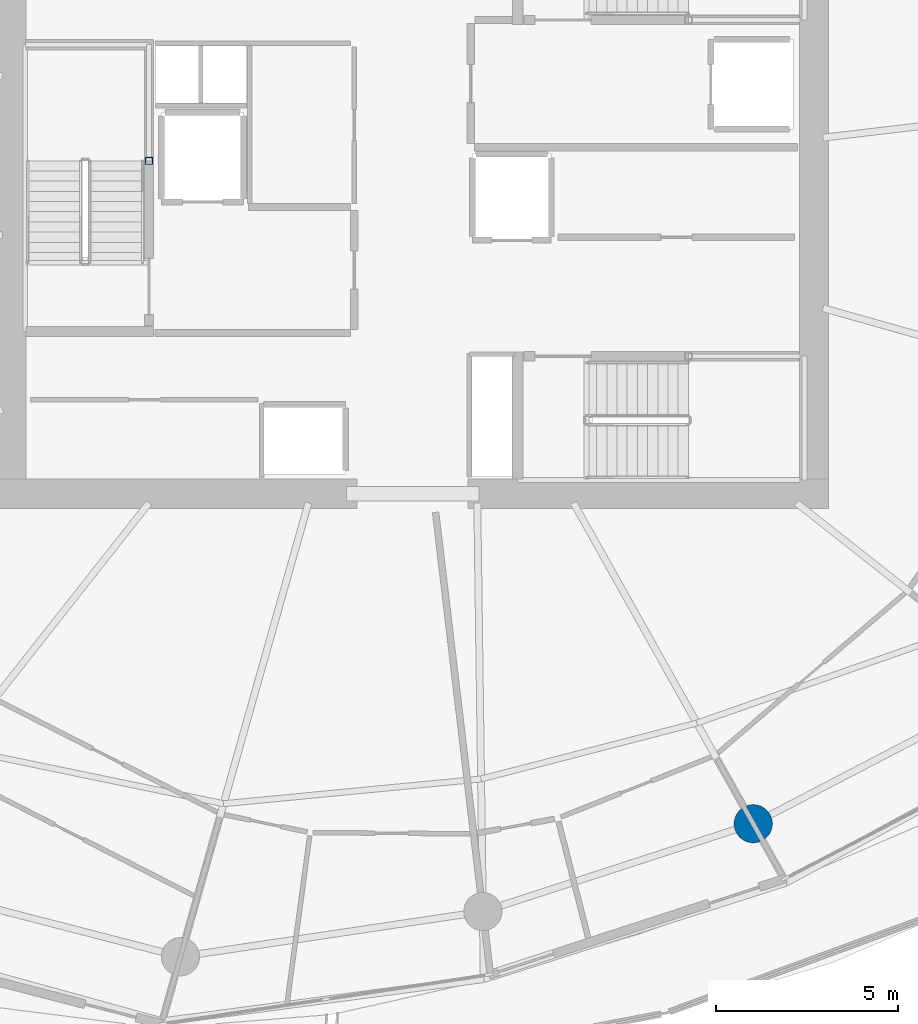
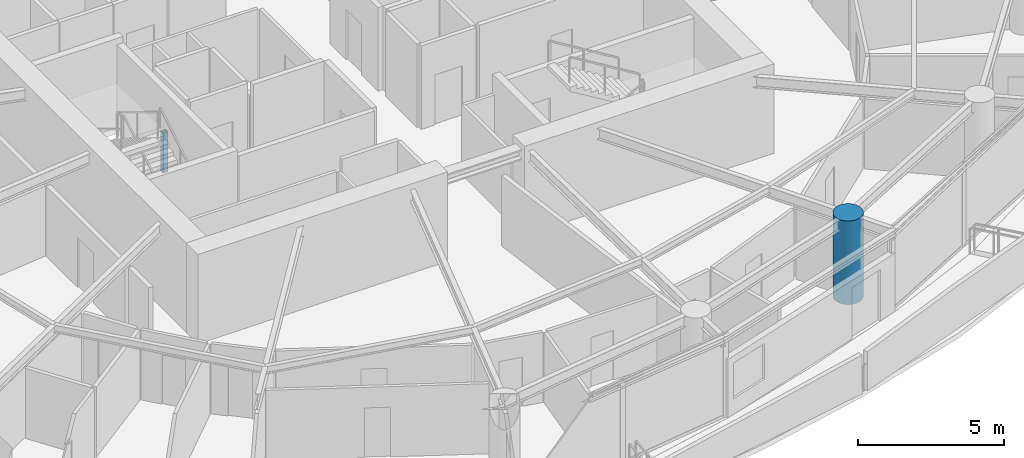
# One storey, part 2 of 20: 2 columns.
"""IFC4 building model written with IfcOpenShell, lengths in metres."""

import ifcopenshell
import ifcopenshell.guid

model = None  # the IFC model being written
_history = None  # IfcOwnerHistory: only IFC2X3 demands one
_inside = {}  # id of a spatial element -> (the spatial element, [elements in it])
_under = {}  # id of a project, library or spatial element -> (it, [spatial elements below it])
_declared = {}  # id of a project -> (the project, [libraries it declares])
_typed = {}  # id of a type object -> (the type object, [elements of that type])
_made_of = {}  # id of a material, layer set ... -> (it, [elements and type objects made of it])


def new_model(schema):
    """Start an empty IFC model of exactly this schema.

    Asked for "IFC4X3", IfcOpenShell would pick the latest addendum, in which some entities
    have other attributes; the version numbers below select the first issue.
    IFC2X3 requires an IfcOwnerHistory on every rooted entity: one is made here for all.
    """
    global model, _history
    if schema == "IFC4X3":
        model = ifcopenshell.file(schema_version=(4, 3, 0, 0))
    else:
        model = ifcopenshell.file(schema=schema)
    _inside.clear()
    _under.clear()
    _declared.clear()
    _typed.clear()
    _made_of.clear()
    _history = None
    if model.schema == "IFC2X3":
        org = make("IfcOrganization", Name="unknown")
        user = make(
            "IfcPersonAndOrganization",
            ThePerson=make("IfcPerson", FamilyName="unknown"),
            TheOrganization=org,
        )
        app = make(
            "IfcApplication",
            ApplicationDeveloper=org,
            Version="unknown",
            ApplicationFullName="unknown",
            ApplicationIdentifier="unknown",
        )
        _history = make(
            "IfcOwnerHistory",
            OwningUser=user,
            OwningApplication=app,
            ChangeAction="ADDED",
            CreationDate=0,
        )
    return model


def make(cls, **values):
    """One entity of the class cls with the attributes given. An attribute that is None is left unset."""
    return model.create_entity(
        cls, **{name: value for name, value in values.items() if value is not None}
    )


def rooted(cls, **values):
    """An entity with a GlobalId (a new one), such as an element, a storey or a relation."""
    return make(cls, GlobalId=ifcopenshell.guid.new(), OwnerHistory=_history, **values)


def si_unit(unit_type, name, prefix=None):
    """IfcSIUnit, for example si_unit("LENGTHUNIT", "METRE", prefix="MILLI")."""
    return make("IfcSIUnit", UnitType=unit_type, Prefix=prefix, Name=name)


def assignment(units):
    """IfcUnitAssignment: the units of a project."""
    return None if units is None else make("IfcUnitAssignment", Units=units)


def point(xyz):
    """IfcCartesianPoint."""
    return None if xyz is None else make("IfcCartesianPoint", Coordinates=xyz)


def direction(xyz):
    """IfcDirection."""
    return None if xyz is None else make("IfcDirection", DirectionRatios=xyz)


def frame(location, z_axis=None, x_axis=None):
    """IfcAxis2Placement3D, a coordinate frame: its origin and axes. An axis left out is left unset."""
    return make(
        "IfcAxis2Placement3D",
        Location=point(location),
        Axis=direction(z_axis),
        RefDirection=direction(x_axis),
    )


def frame_2d(location, x_axis=None):
    """IfcAxis2Placement2D, a coordinate frame in the plane: its origin and x axis."""
    return make(
        "IfcAxis2Placement2D", Location=point(location), RefDirection=direction(x_axis)
    )


def origin():
    """The frame at (0, 0, 0) with its axes left unset."""
    return frame((0.0, 0.0, 0.0))


def origin_2d():
    """The frame at (0, 0) in the plane with its x axis left unset."""
    return frame_2d((0.0, 0.0))


def place(relative_to, where):
    """IfcLocalPlacement: puts the frame where relative to a parent placement (None: the world)."""
    return make(
        "IfcLocalPlacement", PlacementRelTo=relative_to, RelativePlacement=where
    )


def context(
    kind, dimensions, precision=None, world=None, true_north=None, identifier=None
):
    """IfcGeometricRepresentationContext, for example the 3D "Model" context."""
    return make(
        "IfcGeometricRepresentationContext",
        ContextIdentifier=identifier,
        ContextType=kind,
        CoordinateSpaceDimension=dimensions,
        Precision=precision,
        WorldCoordinateSystem=world,
        TrueNorth=true_north,
    )


def subcontext(parent, identifier, kind, view, scale=None):
    """IfcGeometricRepresentationSubContext, for example "Body" below "Model"."""
    return make(
        "IfcGeometricRepresentationSubContext",
        ContextIdentifier=identifier,
        ContextType=kind,
        ParentContext=parent,
        TargetScale=scale,
        TargetView=view,
    )


def project(units=None, contexts=None):
    """IfcProject with its units and contexts."""
    return rooted(
        "IfcProject",
        Name="project",
        RepresentationContexts=contexts,
        UnitsInContext=assignment(units),
    )


def spatial(cls, under=None, at=None, **own):
    """A site, building, storey or space (cls), placed at a placement, below another one or the project."""
    s = rooted(cls, ObjectPlacement=at, **own)
    if under is not None:
        _under.setdefault(under.id(), (under, []))[1].append(s)
    return s


def profile(cls, at=None, kind="AREA", **sizes):
    """A parametric profile (cls). Its sizes go by their IFC names, for example OverallWidth=200.0."""
    return make(cls, ProfileType=kind, Position=at, **sizes)


def hollow_rectangle(**sizes):
    """IfcRectangleHollowProfileDef."""
    return profile("IfcRectangleHollowProfileDef", **sizes)


def circle(**sizes):
    """IfcCircleProfileDef."""
    return profile("IfcCircleProfileDef", **sizes)


def extrude(swept, where, along, depth):
    """IfcExtrudedAreaSolid: the profile swept, set in the frame where, extruded along a direction by depth."""
    return make(
        "IfcExtrudedAreaSolid",
        SweptArea=swept,
        Position=where,
        ExtrudedDirection=direction(along),
        Depth=depth,
    )


def shape(context_of_items, identifier, shape_type, items):
    """IfcShapeRepresentation: the items that make up one representation, for example the "Body"."""
    return make(
        "IfcShapeRepresentation",
        ContextOfItems=context_of_items,
        RepresentationIdentifier=identifier,
        RepresentationType=shape_type,
        Items=items,
    )


def material(Name=None, Category=None):
    """IfcMaterial."""
    return make("IfcMaterial", Name=Name, Category=Category)


def material_profile(
    of_material, cross_section, Name=None, Category=None, Priority=None
):
    """IfcMaterialProfile: a cross section and its material."""
    return make(
        "IfcMaterialProfile",
        Name=Name,
        Material=of_material,
        Profile=cross_section,
        Priority=Priority,
        Category=Category,
    )


def profile_set(profiles, Name=None, composite=None):
    """IfcMaterialProfileSet."""
    return make(
        "IfcMaterialProfileSet",
        Name=Name,
        MaterialProfiles=profiles,
        CompositeProfile=composite,
    )


def made_of(thing, what):
    """Note that an element or type object is made of a material, layer set ...; save() writes the relation."""
    if what is not None:
        _made_of.setdefault(what.id(), (what, []))[1].append(thing)
    return thing


def type_object(cls, material=None, **own):
    """A type object (cls), such as IfcWallType, which elements share."""
    return made_of(rooted(cls, **own), material)


def element(
    cls,
    number,
    at=None,
    inside=None,
    cuts=None,
    type_object=None,
    material=None,
    context=None,
    identifier="Body",
    shape_type=None,
    held_by="IfcProductDefinitionShape",
    body=None,
    shapes=None,
    **own,
):
    """One element of the class cls, such as IfcWall. Its Tag is "e" and its number.

    at: its placement. inside: the storey or other place that contains it. cuts: it is an
    opening in that element (IfcRelVoidsElement). A single representation is given by context,
    identifier, shape_type and body (its items); several are given by shapes. held_by: the class
    of the entity that holds the representations. save() writes the other relations.
    """
    e = rooted(cls, Tag="e%d" % number, ObjectPlacement=at, **own)
    if body is not None:
        shapes = [shape(context, identifier, shape_type, body)]
    if shapes is not None:
        e.Representation = make(held_by, Representations=shapes)
    if inside is not None:
        _inside.setdefault(inside.id(), (inside, []))[1].append(e)
    if cuts is not None:
        rooted(
            "IfcRelVoidsElement", RelatingBuildingElement=cuts, RelatedOpeningElement=e
        )
    if type_object is not None:
        _typed.setdefault(type_object.id(), (type_object, []))[1].append(e)
    return made_of(e, material)


def aggregate(whole, parts):
    """IfcRelAggregates: a whole, such as a stair, and the parts it consists of."""
    return rooted("IfcRelAggregates", RelatingObject=whole, RelatedObjects=parts)


def save(model, path):
    """Write the relations noted so far, then the file.

    IfcRelAggregates (storeys below a building ...), IfcRelContainedInSpatialStructure (elements
    in a storey), IfcRelDefinesByType, IfcRelAssociatesMaterial and IfcRelDeclares: one each for
    every whole, place, type object, material and project.
    """
    for whole, parts in _under.values():
        aggregate(whole, parts)
    for where, things in _inside.values():
        rooted(
            "IfcRelContainedInSpatialStructure",
            RelatedElements=things,
            RelatingStructure=where,
        )
    for kind, things in _typed.values():
        rooted("IfcRelDefinesByType", RelatedObjects=things, RelatingType=kind)
    for what, things in _made_of.values():
        rooted("IfcRelAssociatesMaterial", RelatedObjects=things, RelatingMaterial=what)
    for by, libraries in _declared.values():
        rooted("IfcRelDeclares", RelatingContext=by, RelatedDefinitions=libraries)
    model.write(path)


model = new_model("IFC4")

# Units and contexts
model_context = context("Model", 3, precision=1e-05, world=origin(), true_north=direction((0.0, 1.0)))
body_context = subcontext(model_context, "Body", "Model", "MODEL_VIEW")
ifc_project = project(units=[si_unit("LENGTHUNIT", "METRE"), si_unit("AREAUNIT", "SQUARE_METRE"), si_unit("VOLUMEUNIT", "CUBIC_METRE"), si_unit("PLANEANGLEUNIT", "RADIAN"), si_unit("MASSUNIT", "GRAM", prefix="KILO")], contexts=[model_context])

# Site, building, storey
site_placement = place(None, origin())
site = spatial("IfcSite", under=ifc_project, at=site_placement, CompositionType="ELEMENT")
building_placement = place(site_placement, origin())
building = spatial("IfcBuilding", under=site, at=building_placement, Name="Kazma Halo Residences", CompositionType="ELEMENT")
storey_placement = place(building_placement, frame((0.0, 0.0, 161.550048828125)))
storey = spatial("IfcBuildingStorey", under=building, at=storey_placement, Name="L40", CompositionType="ELEMENT", Elevation=161.550048828125)

# Columns
ifc_material_1 = material(Name="Steel S355", Category="steel")
ifc_material_profile_1 = material_profile(ifc_material_1, hollow_rectangle(XDim=0.199951171875, YDim=0.199951171875, WallThickness=0.010009765625, InnerFilletRadius=0.010009765625, OuterFilletRadius=0.02001953125, at=origin_2d()), Name="SHS200x200x10")
ifc_profile_set_1 = profile_set([ifc_material_profile_1], Name="Steel S355")
column_type_1 = type_object("IfcColumnType", Name="COL-LP-SHS200", PredefinedType="COLUMN", material=ifc_profile_set_1)
column_1_placement = place(storey_placement, frame((41.179931640625, 42.75, 0.0), z_axis=(0.0, 0.0, 1.0), x_axis=(1.0, 0.0, 0.0)))
element("IfcColumn", 1, at=column_1_placement, inside=storey, type_object=column_type_1, Name="L40 ST-01 landing pilaster 1", PredefinedType="COLUMN", context=body_context, shape_type="SweptSolid", body=[
    extrude(hollow_rectangle(XDim=0.199951171875, YDim=0.199951171875, WallThickness=0.010009765625, InnerFilletRadius=0.010009765625, OuterFilletRadius=0.02001953125, at=origin_2d()), origin(), (0.0, 0.0, 1.0), 1.669921875),
])
ifc_material_2 = material(Name="Concrete C80/95", Category="concrete")
ifc_material_profile_2 = material_profile(ifc_material_2, circle(Radius=0.52490234375, at=origin_2d()), Name="CIRC1050")
ifc_profile_set_2 = profile_set([ifc_material_profile_2], Name="Concrete C80/95")
column_type_2 = type_object("IfcColumnType", Name="COL-PERIM-1050", PredefinedType="COLUMN", material=ifc_profile_set_2)
column_2_placement = place(storey_placement, frame((57.781982421875, 24.53271484375, 0.0), z_axis=(0.0, 0.0, 1.0), x_axis=(1.0, 0.0, 0.0)))
element("IfcColumn", 2, at=column_2_placement, inside=storey, type_object=column_type_2, Name="L40 perimeter ring column P13", PredefinedType="COLUMN", context=body_context, shape_type="SweptSolid", body=[
    extrude(circle(Radius=0.52490234375, at=origin_2d()), origin(), (0.0, 0.0, 1.0), 3.5),
])

save(model, "model.ifc")
